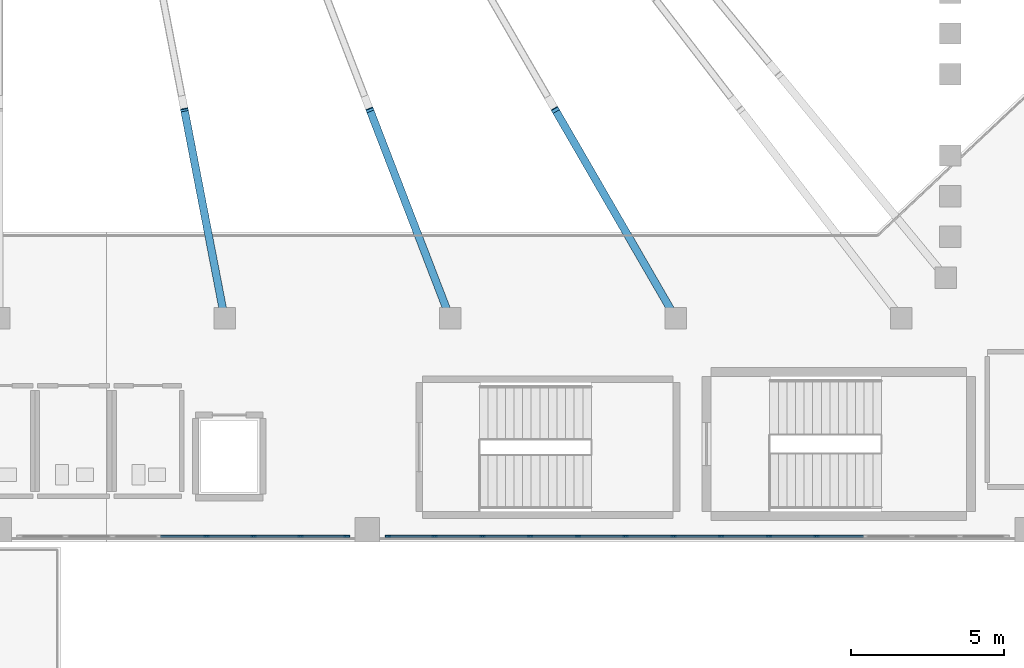
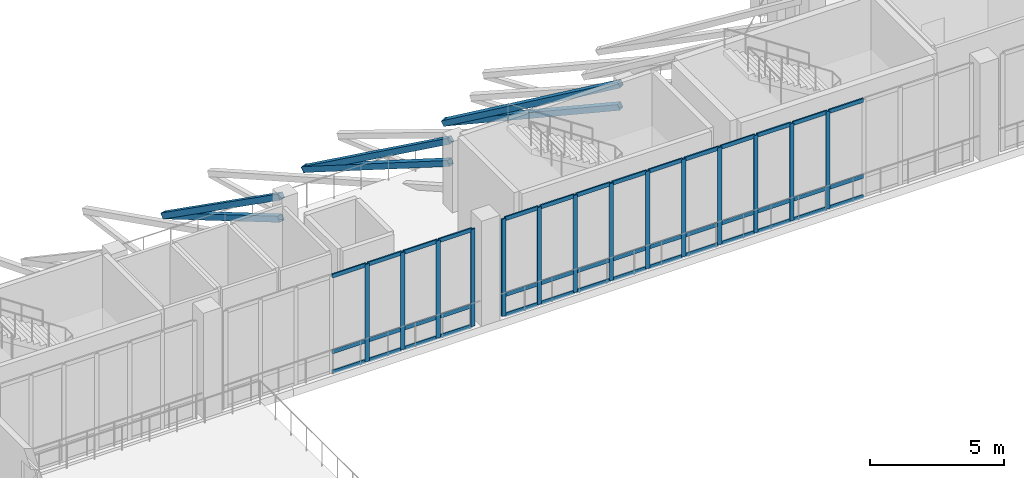
# One storey, part 15 of 79: 62 members, 2 elements without a shape of their own.
"""IFC4 building model written with IfcOpenShell, lengths in metres."""

from ifc_helpers import new_model, si_unit, derived_unit, direction, frame, origin, origin_2d, place, context, subcontext, project, spatial, rectangle, hollow_rectangle, extrude, material, layer, layer_set, material_profile, profile_set, type_object, element, aggregate, save


model = new_model("IFC4")

# Units and contexts
model_context = context("Model", 3, precision=1e-05, world=origin(), true_north=direction((0.0, 1.0)))
body_context = subcontext(model_context, "Body", "Model", "MODEL_VIEW")
ifc_project = project(units=[si_unit("LENGTHUNIT", "METRE"), si_unit("AREAUNIT", "SQUARE_METRE"), si_unit("VOLUMEUNIT", "CUBIC_METRE"), si_unit("PLANEANGLEUNIT", "RADIAN"), si_unit("MASSUNIT", "GRAM", prefix="KILO"), derived_unit("THERMALTRANSMITTANCEUNIT", [(si_unit("MASSUNIT", "GRAM", prefix="KILO"), 1), (si_unit("TIMEUNIT", "SECOND"), -3), (si_unit("THERMODYNAMICTEMPERATUREUNIT", "KELVIN"), -1)])], contexts=[model_context])

# Site, building, storey
site_placement = place(None, origin())
site = spatial("IfcSite", under=ifc_project, at=site_placement, CompositionType="ELEMENT")
building_placement = place(site_placement, origin())
building = spatial("IfcBuilding", under=site, at=building_placement, Name="Valcora Ridge Arena", CompositionType="ELEMENT")
storey_placement = place(building_placement, frame((0.0, 0.0, 16.199951171875)))
storey = spatial("IfcBuildingStorey", under=building, at=storey_placement, Name="L03", CompositionType="ELEMENT", Elevation=16.199951171875)

# Curtain wall, members
ifc_material_1 = material(Name="Anodised dark bronze architectural aluminium 6063-T6", Category="aluminium")
ifc_layer_1 = layer(ifc_material_1, 0.179931640625, Name="Anodised dark bronze architectural aluminium 6063-T6")
ifc_layer_set_1 = layer_set([ifc_layer_1], Name="Anodised dark bronze architectural aluminium 6063-T6")
curtain_wall_type_1 = type_object("IfcCurtainWallType", Name="TY-CURTAINWALL-CW-V1-GOTH-107X44", PredefinedType="NOTDEFINED", material=ifc_layer_set_1)
curtain_wall_1_placement = place(storey_placement, origin())
curtain_wall_1 = element("IfcCurtainWall", 1, at=curtain_wall_1_placement, inside=storey, type_object=curtain_wall_type_1, Name="CW-V1-GOTH-107X44 CW-0139", PredefinedType="NOTDEFINED")
ifc_material_profile_1 = material_profile(ifc_material_1, rectangle(XDim=0.06005859375, YDim=0.179931640625, at=origin_2d()), Name="ALU MULLION 60x180")
ifc_profile_set_1 = profile_set([ifc_material_profile_1], Name="Anodised dark bronze architectural aluminium 6063-T6")
member_type_1 = type_object("IfcMemberType", Name="TY-MEM-CWM-60x180", PredefinedType="MULLION", material=ifc_profile_set_1)
member_1_placement = place(storey_placement, frame((64.765625, 20.199951171875, 0.0), z_axis=(0.0, 0.0, 1.0), x_axis=(0.0, 1.0, 0.0)))
member_1 = element("IfcMember", 2, at=member_1_placement, type_object=member_type_1, Name="CW-0139/CWM-60x180/M04", PredefinedType="MULLION", context=body_context, shape_type="SweptSolid", body=[
    extrude(rectangle(XDim=0.06005859375, YDim=0.179931640625, at=origin_2d()), origin(), (0.0, 0.0, 1.0), 4.43994140625),
])
member_2_placement = place(storey_placement, frame((66.297119140625, 20.199951171875, 0.0), z_axis=(0.0, 0.0, 1.0), x_axis=(0.0, 1.0, 0.0)))
member_2 = element("IfcMember", 3, at=member_2_placement, type_object=member_type_1, Name="CW-0139/CWM-60x180/M05", PredefinedType="MULLION", context=body_context, shape_type="SweptSolid", body=[
    extrude(rectangle(XDim=0.06005859375, YDim=0.179931640625, at=origin_2d()), origin(), (0.0, 0.0, 1.0), 4.43994140625),
])
member_3_placement = place(storey_placement, frame((67.82861328125, 20.199951171875, 0.0), z_axis=(0.0, 0.0, 1.0), x_axis=(0.0, 1.0, 0.0)))
member_3 = element("IfcMember", 4, at=member_3_placement, type_object=member_type_1, Name="CW-0139/CWM-60x180/M06", PredefinedType="MULLION", context=body_context, shape_type="SweptSolid", body=[
    extrude(rectangle(XDim=0.06005859375, YDim=0.179931640625, at=origin_2d()), origin(), (0.0, 0.0, 1.0), 4.43994140625),
])
member_4_placement = place(storey_placement, frame((69.330078125, 20.199951171875, 0.0), z_axis=(0.0, 0.0, 1.0), x_axis=(0.0, 1.0, 0.0)))
member_4 = element("IfcMember", 5, at=member_4_placement, type_object=member_type_1, Name="CW-0139/CWM-60x180/M07", PredefinedType="MULLION", context=body_context, shape_type="SweptSolid", body=[
    extrude(rectangle(XDim=0.06005859375, YDim=0.179931640625, at=origin_2d()), origin(), (0.0, 0.0, 1.0), 4.43994140625),
])

ifc_layer_2 = layer(ifc_material_1, 0.179931640625, Name="Anodised dark bronze architectural aluminium 6063-T6")
ifc_layer_set_2 = layer_set([ifc_layer_2], Name="Anodised dark bronze architectural aluminium 6063-T6")
curtain_wall_type_2 = type_object("IfcCurtainWallType", Name="TY-CURTAINWALL-CW-V1-GOTH-202X44", PredefinedType="NOTDEFINED", material=ifc_layer_set_2)
curtain_wall_2_placement = place(storey_placement, origin())
curtain_wall_2 = element("IfcCurtainWall", 6, at=curtain_wall_2_placement, inside=storey, type_object=curtain_wall_type_2, Name="CW-V1-GOTH-202X44 CW-0140", PredefinedType="NOTDEFINED")
member_5_placement = place(storey_placement, frame((70.669921875, 20.199951171875, 0.0), z_axis=(0.0, 0.0, 1.0), x_axis=(0.0, 1.0, 0.0)))
member_5 = element("IfcMember", 7, at=member_5_placement, type_object=member_type_1, Name="CW-0140/CWM-60x180/M00", PredefinedType="MULLION", context=body_context, shape_type="SweptSolid", body=[
    extrude(rectangle(XDim=0.06005859375, YDim=0.179931640625, at=origin_2d()), origin(), (0.0, 0.0, 1.0), 4.43994140625),
])
member_6_placement = place(storey_placement, frame((72.1953125, 20.199951171875, 0.0), z_axis=(0.0, 0.0, 1.0), x_axis=(0.0, 1.0, 0.0)))
member_6 = element("IfcMember", 8, at=member_6_placement, type_object=member_type_1, Name="CW-0140/CWM-60x180/M01", PredefinedType="MULLION", context=body_context, shape_type="SweptSolid", body=[
    extrude(rectangle(XDim=0.06005859375, YDim=0.179931640625, at=origin_2d()), origin(), (0.0, 0.0, 1.0), 4.43994140625),
])
member_7_placement = place(storey_placement, frame((73.750732421875, 20.199951171875, 0.0), z_axis=(0.0, 0.0, 1.0), x_axis=(0.0, 1.0, 0.0)))
member_7 = element("IfcMember", 9, at=member_7_placement, type_object=member_type_1, Name="CW-0140/CWM-60x180/M02", PredefinedType="MULLION", context=body_context, shape_type="SweptSolid", body=[
    extrude(rectangle(XDim=0.06005859375, YDim=0.179931640625, at=origin_2d()), origin(), (0.0, 0.0, 1.0), 4.43994140625),
])
member_8_placement = place(storey_placement, frame((75.30615234375, 20.199951171875, 0.0), z_axis=(0.0, 0.0, 1.0), x_axis=(0.0, 1.0, 0.0)))
member_8 = element("IfcMember", 10, at=member_8_placement, type_object=member_type_1, Name="CW-0140/CWM-60x180/M03", PredefinedType="MULLION", context=body_context, shape_type="SweptSolid", body=[
    extrude(rectangle(XDim=0.06005859375, YDim=0.179931640625, at=origin_2d()), origin(), (0.0, 0.0, 1.0), 4.43994140625),
])
member_9_placement = place(storey_placement, frame((76.861572265625, 20.199951171875, 0.0), z_axis=(0.0, 0.0, 1.0), x_axis=(0.0, 1.0, 0.0)))
member_9 = element("IfcMember", 11, at=member_9_placement, type_object=member_type_1, Name="CW-0140/CWM-60x180/M04", PredefinedType="MULLION", context=body_context, shape_type="SweptSolid", body=[
    extrude(rectangle(XDim=0.06005859375, YDim=0.179931640625, at=origin_2d()), origin(), (0.0, 0.0, 1.0), 4.43994140625),
])
member_10_placement = place(storey_placement, frame((78.4169921875, 20.199951171875, 0.0), z_axis=(0.0, 0.0, 1.0), x_axis=(0.0, 1.0, 0.0)))
member_10 = element("IfcMember", 12, at=member_10_placement, type_object=member_type_1, Name="CW-0140/CWM-60x180/M05", PredefinedType="MULLION", context=body_context, shape_type="SweptSolid", body=[
    extrude(rectangle(XDim=0.06005859375, YDim=0.179931640625, at=origin_2d()), origin(), (0.0, 0.0, 1.0), 4.43994140625),
])
member_11_placement = place(storey_placement, frame((79.972412109375, 20.199951171875, 0.0), z_axis=(0.0, 0.0, 1.0), x_axis=(0.0, 1.0, 0.0)))
member_11 = element("IfcMember", 13, at=member_11_placement, type_object=member_type_1, Name="CW-0140/CWM-60x180/M06", PredefinedType="MULLION", context=body_context, shape_type="SweptSolid", body=[
    extrude(rectangle(XDim=0.06005859375, YDim=0.179931640625, at=origin_2d()), origin(), (0.0, 0.0, 1.0), 4.43994140625),
])
member_12_placement = place(storey_placement, frame((81.527587890625, 20.199951171875, 0.0), z_axis=(0.0, 0.0, 1.0), x_axis=(0.0, 1.0, 0.0)))
member_12 = element("IfcMember", 14, at=member_12_placement, type_object=member_type_1, Name="CW-0140/CWM-60x180/M07", PredefinedType="MULLION", context=body_context, shape_type="SweptSolid", body=[
    extrude(rectangle(XDim=0.06005859375, YDim=0.179931640625, at=origin_2d()), origin(), (0.0, 0.0, 1.0), 4.43994140625),
])
member_13_placement = place(storey_placement, frame((83.0830078125, 20.199951171875, 0.0), z_axis=(0.0, 0.0, 1.0), x_axis=(0.0, 1.0, 0.0)))
member_13 = element("IfcMember", 15, at=member_13_placement, type_object=member_type_1, Name="CW-0140/CWM-60x180/M08", PredefinedType="MULLION", context=body_context, shape_type="SweptSolid", body=[
    extrude(rectangle(XDim=0.06005859375, YDim=0.179931640625, at=origin_2d()), origin(), (0.0, 0.0, 1.0), 4.43994140625),
])
member_14_placement = place(storey_placement, frame((84.638427734375, 20.199951171875, 0.0), z_axis=(0.0, 0.0, 1.0), x_axis=(0.0, 1.0, 0.0)))
member_14 = element("IfcMember", 16, at=member_14_placement, type_object=member_type_1, Name="CW-0140/CWM-60x180/M09", PredefinedType="MULLION", context=body_context, shape_type="SweptSolid", body=[
    extrude(rectangle(XDim=0.06005859375, YDim=0.179931640625, at=origin_2d()), origin(), (0.0, 0.0, 1.0), 4.43994140625),
])

# Member
ifc_material_profile_2 = material_profile(ifc_material_1, rectangle(XDim=0.06005859375, YDim=0.179931640625, at=origin_2d()), Name="ALU TRANSOM 60x180")
ifc_profile_set_2 = profile_set([ifc_material_profile_2], Name="Anodised dark bronze architectural aluminium 6063-T6")
member_type_2 = type_object("IfcMemberType", Name="TY-MEM-CWT-60x180", PredefinedType="USERDEFINED", material=ifc_profile_set_2)
member_15_placement = place(storey_placement, frame((63.263916015625, 20.199951171875, 0.030029296875), z_axis=(1.0, 0.0, 0.0), x_axis=(0.0, 1.0, 0.0)))
member_15 = element("IfcMember", 17, at=member_15_placement, type_object=member_type_2, Name="CW-0139/CWT-60x180/T03-00", ObjectType="TRANSOM", PredefinedType="USERDEFINED", context=body_context, shape_type="SweptSolid", body=[
    extrude(rectangle(XDim=0.06005859375, YDim=0.179931640625, at=origin_2d()), origin(), (0.0, 0.0, 1.0), 1.47216796875),
])

member_16_placement = place(storey_placement, frame((63.263916015625, 20.199951171875, 0.949951171875), z_axis=(1.0, 0.0, 0.0), x_axis=(0.0, 1.0, 0.0)))
member_16 = element("IfcMember", 18, at=member_16_placement, type_object=member_type_2, Name="CW-0139/CWT-60x180/T03-01", ObjectType="TRANSOM", PredefinedType="USERDEFINED", context=body_context, shape_type="SweptSolid", body=[
    extrude(rectangle(XDim=0.06005859375, YDim=0.179931640625, at=origin_2d()), origin(), (0.0, 0.0, 1.0), 1.47216796875),
])

member_17_placement = place(storey_placement, frame((63.263916015625, 20.199951171875, 4.41015625), z_axis=(1.0, 0.0, 0.0), x_axis=(0.0, 1.0, 0.0)))
member_17 = element("IfcMember", 19, at=member_17_placement, type_object=member_type_2, Name="CW-0139/CWT-60x180/T03-02", ObjectType="TRANSOM", PredefinedType="USERDEFINED", context=body_context, shape_type="SweptSolid", body=[
    extrude(rectangle(XDim=0.06005859375, YDim=0.179931640625, at=origin_2d()), origin(), (0.0, 0.0, 1.0), 1.47216796875),
])

member_18_placement = place(storey_placement, frame((64.7958984375, 20.199951171875, 0.030029296875), z_axis=(1.0, 0.0, 0.0), x_axis=(0.0, 1.0, 0.0)))
member_18 = element("IfcMember", 20, at=member_18_placement, type_object=member_type_2, Name="CW-0139/CWT-60x180/T04-00", ObjectType="TRANSOM", PredefinedType="USERDEFINED", context=body_context, shape_type="SweptSolid", body=[
    extrude(rectangle(XDim=0.06005859375, YDim=0.179931640625, at=origin_2d()), origin(), (0.0, 0.0, 1.0), 1.47119140625),
])

member_19_placement = place(storey_placement, frame((64.7958984375, 20.199951171875, 0.949951171875), z_axis=(1.0, 0.0, 0.0), x_axis=(0.0, 1.0, 0.0)))
member_19 = element("IfcMember", 21, at=member_19_placement, type_object=member_type_2, Name="CW-0139/CWT-60x180/T04-01", ObjectType="TRANSOM", PredefinedType="USERDEFINED", context=body_context, shape_type="SweptSolid", body=[
    extrude(rectangle(XDim=0.06005859375, YDim=0.179931640625, at=origin_2d()), origin(), (0.0, 0.0, 1.0), 1.47119140625),
])

member_20_placement = place(storey_placement, frame((64.7958984375, 20.199951171875, 4.41015625), z_axis=(1.0, 0.0, 0.0), x_axis=(0.0, 1.0, 0.0)))
member_20 = element("IfcMember", 22, at=member_20_placement, type_object=member_type_2, Name="CW-0139/CWT-60x180/T04-02", ObjectType="TRANSOM", PredefinedType="USERDEFINED", context=body_context, shape_type="SweptSolid", body=[
    extrude(rectangle(XDim=0.06005859375, YDim=0.179931640625, at=origin_2d()), origin(), (0.0, 0.0, 1.0), 1.47119140625),
])

member_21_placement = place(storey_placement, frame((66.326904296875, 20.199951171875, 0.030029296875), z_axis=(1.0, 0.0, 0.0), x_axis=(0.0, 1.0, 0.0)))
member_21 = element("IfcMember", 23, at=member_21_placement, type_object=member_type_2, Name="CW-0139/CWT-60x180/T05-00", ObjectType="TRANSOM", PredefinedType="USERDEFINED", context=body_context, shape_type="SweptSolid", body=[
    extrude(rectangle(XDim=0.06005859375, YDim=0.179931640625, at=origin_2d()), origin(), (0.0, 0.0, 1.0), 1.47216796875),
])

member_22_placement = place(storey_placement, frame((66.326904296875, 20.199951171875, 0.949951171875), z_axis=(1.0, 0.0, 0.0), x_axis=(0.0, 1.0, 0.0)))
member_22 = element("IfcMember", 24, at=member_22_placement, type_object=member_type_2, Name="CW-0139/CWT-60x180/T05-01", ObjectType="TRANSOM", PredefinedType="USERDEFINED", context=body_context, shape_type="SweptSolid", body=[
    extrude(rectangle(XDim=0.06005859375, YDim=0.179931640625, at=origin_2d()), origin(), (0.0, 0.0, 1.0), 1.47216796875),
])

member_23_placement = place(storey_placement, frame((66.326904296875, 20.199951171875, 4.41015625), z_axis=(1.0, 0.0, 0.0), x_axis=(0.0, 1.0, 0.0)))
member_23 = element("IfcMember", 25, at=member_23_placement, type_object=member_type_2, Name="CW-0139/CWT-60x180/T05-02", ObjectType="TRANSOM", PredefinedType="USERDEFINED", context=body_context, shape_type="SweptSolid", body=[
    extrude(rectangle(XDim=0.06005859375, YDim=0.179931640625, at=origin_2d()), origin(), (0.0, 0.0, 1.0), 1.47216796875),
])

member_24_placement = place(storey_placement, frame((67.85888671875, 20.199951171875, 0.030029296875), z_axis=(1.0, 0.0, 0.0), x_axis=(0.0, 1.0, 0.0)))
member_24 = element("IfcMember", 26, at=member_24_placement, type_object=member_type_2, Name="CW-0139/CWT-60x180/T06-00", ObjectType="TRANSOM", PredefinedType="USERDEFINED", context=body_context, shape_type="SweptSolid", body=[
    extrude(rectangle(XDim=0.06005859375, YDim=0.179931640625, at=origin_2d()), origin(), (0.0, 0.0, 1.0), 1.441162109375),
])

member_25_placement = place(storey_placement, frame((67.85888671875, 20.199951171875, 0.949951171875), z_axis=(1.0, 0.0, 0.0), x_axis=(0.0, 1.0, 0.0)))
member_25 = element("IfcMember", 27, at=member_25_placement, type_object=member_type_2, Name="CW-0139/CWT-60x180/T06-01", ObjectType="TRANSOM", PredefinedType="USERDEFINED", context=body_context, shape_type="SweptSolid", body=[
    extrude(rectangle(XDim=0.06005859375, YDim=0.179931640625, at=origin_2d()), origin(), (0.0, 0.0, 1.0), 1.441162109375),
])

member_26_placement = place(storey_placement, frame((67.85888671875, 20.199951171875, 4.41015625), z_axis=(1.0, 0.0, 0.0), x_axis=(0.0, 1.0, 0.0)))
member_26 = element("IfcMember", 28, at=member_26_placement, type_object=member_type_2, Name="CW-0139/CWT-60x180/T06-02", ObjectType="TRANSOM", PredefinedType="USERDEFINED", context=body_context, shape_type="SweptSolid", body=[
    extrude(rectangle(XDim=0.06005859375, YDim=0.179931640625, at=origin_2d()), origin(), (0.0, 0.0, 1.0), 1.441162109375),
])

aggregate(curtain_wall_1, [member_1, member_2, member_3, member_4, member_15, member_16, member_17, member_18, member_19, member_20, member_21, member_22, member_23, member_24, member_25, member_26])

member_27_placement = place(storey_placement, frame((70.699951171875, 20.199951171875, 0.030029296875), z_axis=(1.0, 0.0, 0.0), x_axis=(0.0, 1.0, 0.0)))
member_27 = element("IfcMember", 29, at=member_27_placement, type_object=member_type_2, Name="CW-0140/CWT-60x180/T00-00", ObjectType="TRANSOM", PredefinedType="USERDEFINED", context=body_context, shape_type="SweptSolid", body=[
    extrude(rectangle(XDim=0.06005859375, YDim=0.179931640625, at=origin_2d()), origin(), (0.0, 0.0, 1.0), 1.465087890625),
])

member_28_placement = place(storey_placement, frame((70.699951171875, 20.199951171875, 0.949951171875), z_axis=(1.0, 0.0, 0.0), x_axis=(0.0, 1.0, 0.0)))
member_28 = element("IfcMember", 30, at=member_28_placement, type_object=member_type_2, Name="CW-0140/CWT-60x180/T00-01", ObjectType="TRANSOM", PredefinedType="USERDEFINED", context=body_context, shape_type="SweptSolid", body=[
    extrude(rectangle(XDim=0.06005859375, YDim=0.179931640625, at=origin_2d()), origin(), (0.0, 0.0, 1.0), 1.465087890625),
])

member_29_placement = place(storey_placement, frame((70.699951171875, 20.199951171875, 4.41015625), z_axis=(1.0, 0.0, 0.0), x_axis=(0.0, 1.0, 0.0)))
member_29 = element("IfcMember", 31, at=member_29_placement, type_object=member_type_2, Name="CW-0140/CWT-60x180/T00-02", ObjectType="TRANSOM", PredefinedType="USERDEFINED", context=body_context, shape_type="SweptSolid", body=[
    extrude(rectangle(XDim=0.06005859375, YDim=0.179931640625, at=origin_2d()), origin(), (0.0, 0.0, 1.0), 1.465087890625),
])

member_30_placement = place(storey_placement, frame((72.22509765625, 20.199951171875, 0.030029296875), z_axis=(1.0, 0.0, 0.0), x_axis=(0.0, 1.0, 0.0)))
member_30 = element("IfcMember", 32, at=member_30_placement, type_object=member_type_2, Name="CW-0140/CWT-60x180/T01-00", ObjectType="TRANSOM", PredefinedType="USERDEFINED", context=body_context, shape_type="SweptSolid", body=[
    extrude(rectangle(XDim=0.06005859375, YDim=0.179931640625, at=origin_2d()), origin(), (0.0, 0.0, 1.0), 1.495849609375),
])

member_31_placement = place(storey_placement, frame((72.22509765625, 20.199951171875, 0.949951171875), z_axis=(1.0, 0.0, 0.0), x_axis=(0.0, 1.0, 0.0)))
member_31 = element("IfcMember", 33, at=member_31_placement, type_object=member_type_2, Name="CW-0140/CWT-60x180/T01-01", ObjectType="TRANSOM", PredefinedType="USERDEFINED", context=body_context, shape_type="SweptSolid", body=[
    extrude(rectangle(XDim=0.06005859375, YDim=0.179931640625, at=origin_2d()), origin(), (0.0, 0.0, 1.0), 1.495849609375),
])

member_32_placement = place(storey_placement, frame((72.22509765625, 20.199951171875, 4.41015625), z_axis=(1.0, 0.0, 0.0), x_axis=(0.0, 1.0, 0.0)))
member_32 = element("IfcMember", 34, at=member_32_placement, type_object=member_type_2, Name="CW-0140/CWT-60x180/T01-02", ObjectType="TRANSOM", PredefinedType="USERDEFINED", context=body_context, shape_type="SweptSolid", body=[
    extrude(rectangle(XDim=0.06005859375, YDim=0.179931640625, at=origin_2d()), origin(), (0.0, 0.0, 1.0), 1.495849609375),
])

member_33_placement = place(storey_placement, frame((73.781005859375, 20.199951171875, 0.030029296875), z_axis=(1.0, 0.0, 0.0), x_axis=(0.0, 1.0, 0.0)))
member_33 = element("IfcMember", 35, at=member_33_placement, type_object=member_type_2, Name="CW-0140/CWT-60x180/T02-00", ObjectType="TRANSOM", PredefinedType="USERDEFINED", context=body_context, shape_type="SweptSolid", body=[
    extrude(rectangle(XDim=0.06005859375, YDim=0.179931640625, at=origin_2d()), origin(), (0.0, 0.0, 1.0), 1.494873046875),
])

member_34_placement = place(storey_placement, frame((73.781005859375, 20.199951171875, 0.949951171875), z_axis=(1.0, 0.0, 0.0), x_axis=(0.0, 1.0, 0.0)))
member_34 = element("IfcMember", 36, at=member_34_placement, type_object=member_type_2, Name="CW-0140/CWT-60x180/T02-01", ObjectType="TRANSOM", PredefinedType="USERDEFINED", context=body_context, shape_type="SweptSolid", body=[
    extrude(rectangle(XDim=0.06005859375, YDim=0.179931640625, at=origin_2d()), origin(), (0.0, 0.0, 1.0), 1.494873046875),
])

member_35_placement = place(storey_placement, frame((73.781005859375, 20.199951171875, 4.41015625), z_axis=(1.0, 0.0, 0.0), x_axis=(0.0, 1.0, 0.0)))
member_35 = element("IfcMember", 37, at=member_35_placement, type_object=member_type_2, Name="CW-0140/CWT-60x180/T02-02", ObjectType="TRANSOM", PredefinedType="USERDEFINED", context=body_context, shape_type="SweptSolid", body=[
    extrude(rectangle(XDim=0.06005859375, YDim=0.179931640625, at=origin_2d()), origin(), (0.0, 0.0, 1.0), 1.494873046875),
])

member_36_placement = place(storey_placement, frame((75.3359375, 20.199951171875, 0.030029296875), z_axis=(1.0, 0.0, 0.0), x_axis=(0.0, 1.0, 0.0)))
member_36 = element("IfcMember", 38, at=member_36_placement, type_object=member_type_2, Name="CW-0140/CWT-60x180/T03-00", ObjectType="TRANSOM", PredefinedType="USERDEFINED", context=body_context, shape_type="SweptSolid", body=[
    extrude(rectangle(XDim=0.06005859375, YDim=0.179931640625, at=origin_2d()), origin(), (0.0, 0.0, 1.0), 1.49609375),
])

member_37_placement = place(storey_placement, frame((75.3359375, 20.199951171875, 0.949951171875), z_axis=(1.0, 0.0, 0.0), x_axis=(0.0, 1.0, 0.0)))
member_37 = element("IfcMember", 39, at=member_37_placement, type_object=member_type_2, Name="CW-0140/CWT-60x180/T03-01", ObjectType="TRANSOM", PredefinedType="USERDEFINED", context=body_context, shape_type="SweptSolid", body=[
    extrude(rectangle(XDim=0.06005859375, YDim=0.179931640625, at=origin_2d()), origin(), (0.0, 0.0, 1.0), 1.49609375),
])

member_38_placement = place(storey_placement, frame((75.3359375, 20.199951171875, 4.41015625), z_axis=(1.0, 0.0, 0.0), x_axis=(0.0, 1.0, 0.0)))
member_38 = element("IfcMember", 40, at=member_38_placement, type_object=member_type_2, Name="CW-0140/CWT-60x180/T03-02", ObjectType="TRANSOM", PredefinedType="USERDEFINED", context=body_context, shape_type="SweptSolid", body=[
    extrude(rectangle(XDim=0.06005859375, YDim=0.179931640625, at=origin_2d()), origin(), (0.0, 0.0, 1.0), 1.49609375),
])

member_39_placement = place(storey_placement, frame((76.89208984375, 20.199951171875, 0.030029296875), z_axis=(1.0, 0.0, 0.0), x_axis=(0.0, 1.0, 0.0)))
member_39 = element("IfcMember", 41, at=member_39_placement, type_object=member_type_2, Name="CW-0140/CWT-60x180/T04-00", ObjectType="TRANSOM", PredefinedType="USERDEFINED", context=body_context, shape_type="SweptSolid", body=[
    extrude(rectangle(XDim=0.06005859375, YDim=0.179931640625, at=origin_2d()), origin(), (0.0, 0.0, 1.0), 1.494873046875),
])

member_40_placement = place(storey_placement, frame((76.89208984375, 20.199951171875, 0.949951171875), z_axis=(1.0, 0.0, 0.0), x_axis=(0.0, 1.0, 0.0)))
member_40 = element("IfcMember", 42, at=member_40_placement, type_object=member_type_2, Name="CW-0140/CWT-60x180/T04-01", ObjectType="TRANSOM", PredefinedType="USERDEFINED", context=body_context, shape_type="SweptSolid", body=[
    extrude(rectangle(XDim=0.06005859375, YDim=0.179931640625, at=origin_2d()), origin(), (0.0, 0.0, 1.0), 1.494873046875),
])

member_41_placement = place(storey_placement, frame((76.89208984375, 20.199951171875, 4.41015625), z_axis=(1.0, 0.0, 0.0), x_axis=(0.0, 1.0, 0.0)))
member_41 = element("IfcMember", 43, at=member_41_placement, type_object=member_type_2, Name="CW-0140/CWT-60x180/T04-02", ObjectType="TRANSOM", PredefinedType="USERDEFINED", context=body_context, shape_type="SweptSolid", body=[
    extrude(rectangle(XDim=0.06005859375, YDim=0.179931640625, at=origin_2d()), origin(), (0.0, 0.0, 1.0), 1.494873046875),
])

member_42_placement = place(storey_placement, frame((78.447021484375, 20.199951171875, 0.030029296875), z_axis=(1.0, 0.0, 0.0), x_axis=(0.0, 1.0, 0.0)))
member_42 = element("IfcMember", 44, at=member_42_placement, type_object=member_type_2, Name="CW-0140/CWT-60x180/T05-00", ObjectType="TRANSOM", PredefinedType="USERDEFINED", context=body_context, shape_type="SweptSolid", body=[
    extrude(rectangle(XDim=0.06005859375, YDim=0.179931640625, at=origin_2d()), origin(), (0.0, 0.0, 1.0), 1.494873046875),
])

member_43_placement = place(storey_placement, frame((78.447021484375, 20.199951171875, 0.949951171875), z_axis=(1.0, 0.0, 0.0), x_axis=(0.0, 1.0, 0.0)))
member_43 = element("IfcMember", 45, at=member_43_placement, type_object=member_type_2, Name="CW-0140/CWT-60x180/T05-01", ObjectType="TRANSOM", PredefinedType="USERDEFINED", context=body_context, shape_type="SweptSolid", body=[
    extrude(rectangle(XDim=0.06005859375, YDim=0.179931640625, at=origin_2d()), origin(), (0.0, 0.0, 1.0), 1.494873046875),
])

member_44_placement = place(storey_placement, frame((78.447021484375, 20.199951171875, 4.41015625), z_axis=(1.0, 0.0, 0.0), x_axis=(0.0, 1.0, 0.0)))
member_44 = element("IfcMember", 46, at=member_44_placement, type_object=member_type_2, Name="CW-0140/CWT-60x180/T05-02", ObjectType="TRANSOM", PredefinedType="USERDEFINED", context=body_context, shape_type="SweptSolid", body=[
    extrude(rectangle(XDim=0.06005859375, YDim=0.179931640625, at=origin_2d()), origin(), (0.0, 0.0, 1.0), 1.494873046875),
])

member_45_placement = place(storey_placement, frame((80.001953125, 20.199951171875, 0.030029296875), z_axis=(1.0, 0.0, 0.0), x_axis=(0.0, 1.0, 0.0)))
member_45 = element("IfcMember", 47, at=member_45_placement, type_object=member_type_2, Name="CW-0140/CWT-60x180/T06-00", ObjectType="TRANSOM", PredefinedType="USERDEFINED", context=body_context, shape_type="SweptSolid", body=[
    extrude(rectangle(XDim=0.06005859375, YDim=0.179931640625, at=origin_2d()), origin(), (0.0, 0.0, 1.0), 1.49609375),
])

member_46_placement = place(storey_placement, frame((80.001953125, 20.199951171875, 0.949951171875), z_axis=(1.0, 0.0, 0.0), x_axis=(0.0, 1.0, 0.0)))
member_46 = element("IfcMember", 48, at=member_46_placement, type_object=member_type_2, Name="CW-0140/CWT-60x180/T06-01", ObjectType="TRANSOM", PredefinedType="USERDEFINED", context=body_context, shape_type="SweptSolid", body=[
    extrude(rectangle(XDim=0.06005859375, YDim=0.179931640625, at=origin_2d()), origin(), (0.0, 0.0, 1.0), 1.49609375),
])

member_47_placement = place(storey_placement, frame((80.001953125, 20.199951171875, 4.41015625), z_axis=(1.0, 0.0, 0.0), x_axis=(0.0, 1.0, 0.0)))
member_47 = element("IfcMember", 49, at=member_47_placement, type_object=member_type_2, Name="CW-0140/CWT-60x180/T06-02", ObjectType="TRANSOM", PredefinedType="USERDEFINED", context=body_context, shape_type="SweptSolid", body=[
    extrude(rectangle(XDim=0.06005859375, YDim=0.179931640625, at=origin_2d()), origin(), (0.0, 0.0, 1.0), 1.49609375),
])

member_48_placement = place(storey_placement, frame((81.55810546875, 20.199951171875, 0.030029296875), z_axis=(1.0, 0.0, 0.0), x_axis=(0.0, 1.0, 0.0)))
member_48 = element("IfcMember", 50, at=member_48_placement, type_object=member_type_2, Name="CW-0140/CWT-60x180/T07-00", ObjectType="TRANSOM", PredefinedType="USERDEFINED", context=body_context, shape_type="SweptSolid", body=[
    extrude(rectangle(XDim=0.06005859375, YDim=0.179931640625, at=origin_2d()), origin(), (0.0, 0.0, 1.0), 1.494873046875),
])

member_49_placement = place(storey_placement, frame((81.55810546875, 20.199951171875, 0.949951171875), z_axis=(1.0, 0.0, 0.0), x_axis=(0.0, 1.0, 0.0)))
member_49 = element("IfcMember", 51, at=member_49_placement, type_object=member_type_2, Name="CW-0140/CWT-60x180/T07-01", ObjectType="TRANSOM", PredefinedType="USERDEFINED", context=body_context, shape_type="SweptSolid", body=[
    extrude(rectangle(XDim=0.06005859375, YDim=0.179931640625, at=origin_2d()), origin(), (0.0, 0.0, 1.0), 1.494873046875),
])

member_50_placement = place(storey_placement, frame((81.55810546875, 20.199951171875, 4.41015625), z_axis=(1.0, 0.0, 0.0), x_axis=(0.0, 1.0, 0.0)))
member_50 = element("IfcMember", 52, at=member_50_placement, type_object=member_type_2, Name="CW-0140/CWT-60x180/T07-02", ObjectType="TRANSOM", PredefinedType="USERDEFINED", context=body_context, shape_type="SweptSolid", body=[
    extrude(rectangle(XDim=0.06005859375, YDim=0.179931640625, at=origin_2d()), origin(), (0.0, 0.0, 1.0), 1.494873046875),
])

member_51_placement = place(storey_placement, frame((83.113037109375, 20.199951171875, 0.030029296875), z_axis=(1.0, 0.0, 0.0), x_axis=(0.0, 1.0, 0.0)))
member_51 = element("IfcMember", 53, at=member_51_placement, type_object=member_type_2, Name="CW-0140/CWT-60x180/T08-00", ObjectType="TRANSOM", PredefinedType="USERDEFINED", context=body_context, shape_type="SweptSolid", body=[
    extrude(rectangle(XDim=0.06005859375, YDim=0.179931640625, at=origin_2d()), origin(), (0.0, 0.0, 1.0), 1.494873046875),
])

member_52_placement = place(storey_placement, frame((83.113037109375, 20.199951171875, 0.949951171875), z_axis=(1.0, 0.0, 0.0), x_axis=(0.0, 1.0, 0.0)))
member_52 = element("IfcMember", 54, at=member_52_placement, type_object=member_type_2, Name="CW-0140/CWT-60x180/T08-01", ObjectType="TRANSOM", PredefinedType="USERDEFINED", context=body_context, shape_type="SweptSolid", body=[
    extrude(rectangle(XDim=0.06005859375, YDim=0.179931640625, at=origin_2d()), origin(), (0.0, 0.0, 1.0), 1.494873046875),
])

member_53_placement = place(storey_placement, frame((83.113037109375, 20.199951171875, 4.41015625), z_axis=(1.0, 0.0, 0.0), x_axis=(0.0, 1.0, 0.0)))
member_53 = element("IfcMember", 55, at=member_53_placement, type_object=member_type_2, Name="CW-0140/CWT-60x180/T08-02", ObjectType="TRANSOM", PredefinedType="USERDEFINED", context=body_context, shape_type="SweptSolid", body=[
    extrude(rectangle(XDim=0.06005859375, YDim=0.179931640625, at=origin_2d()), origin(), (0.0, 0.0, 1.0), 1.494873046875),
])

member_54_placement = place(storey_placement, frame((84.66796875, 20.199951171875, 0.030029296875), z_axis=(1.0, 0.0, 0.0), x_axis=(0.0, 1.0, 0.0)))
member_54 = element("IfcMember", 56, at=member_54_placement, type_object=member_type_2, Name="CW-0140/CWT-60x180/T09-00", ObjectType="TRANSOM", PredefinedType="USERDEFINED", context=body_context, shape_type="SweptSolid", body=[
    extrude(rectangle(XDim=0.06005859375, YDim=0.179931640625, at=origin_2d()), origin(), (0.0, 0.0, 1.0), 1.49609375),
])

member_55_placement = place(storey_placement, frame((84.66796875, 20.199951171875, 0.949951171875), z_axis=(1.0, 0.0, 0.0), x_axis=(0.0, 1.0, 0.0)))
member_55 = element("IfcMember", 57, at=member_55_placement, type_object=member_type_2, Name="CW-0140/CWT-60x180/T09-01", ObjectType="TRANSOM", PredefinedType="USERDEFINED", context=body_context, shape_type="SweptSolid", body=[
    extrude(rectangle(XDim=0.06005859375, YDim=0.179931640625, at=origin_2d()), origin(), (0.0, 0.0, 1.0), 1.49609375),
])

member_56_placement = place(storey_placement, frame((84.66796875, 20.199951171875, 4.41015625), z_axis=(1.0, 0.0, 0.0), x_axis=(0.0, 1.0, 0.0)))
member_56 = element("IfcMember", 58, at=member_56_placement, type_object=member_type_2, Name="CW-0140/CWT-60x180/T09-02", ObjectType="TRANSOM", PredefinedType="USERDEFINED", context=body_context, shape_type="SweptSolid", body=[
    extrude(rectangle(XDim=0.06005859375, YDim=0.179931640625, at=origin_2d()), origin(), (0.0, 0.0, 1.0), 1.49609375),
])

aggregate(curtain_wall_2, [member_5, member_6, member_7, member_8, member_9, member_10, member_11, member_12, member_13, member_14, member_27, member_28, member_29, member_30, member_31, member_32, member_33, member_34, member_35, member_36, member_37, member_38, member_39, member_40, member_41, member_42, member_43, member_44, member_45, member_46, member_47, member_48, member_49, member_50, member_51, member_52, member_53, member_54, member_55, member_56])

# Members
ifc_material_2 = material(Name="Steel ASTM A500 Grade C", Category="steel")
ifc_material_profile_3 = material_profile(ifc_material_2, hollow_rectangle(XDim=0.25, YDim=0.25, WallThickness=0.012451171875, at=origin_2d()), Name="HSS250X250X12")
ifc_profile_set_3 = profile_set([ifc_material_profile_3], Name="Steel ASTM A500 Grade C")
member_type_3 = type_object("IfcMemberType", Name="TY-MEMBER-RKRUC-251", PredefinedType="CHORD", material=ifc_profile_set_3)
member_57_placement = place(storey_placement, frame((64.044189453125, 34.070556640625, -1.495849609375), z_axis=(0.15809924843, -0.819778413767, 0.550425271919), x_axis=(0.981906452279, 0.189366625818, 0.0)))
element("IfcMember", 59, at=member_57_placement, inside=storey, type_object=member_type_3, Name="RKRUC-251 MBR-RK-RKRUC-251-0006", PredefinedType="CHORD", context=body_context, shape_type="SweptSolid", body=[
    extrude(hollow_rectangle(XDim=0.25, YDim=0.25, WallThickness=0.012451171875, at=origin_2d()), origin(), (0.0, 0.0, 1.0), 7.97900390625),
])
member_58_placement = place(storey_placement, frame((70.08544921875, 34.07861328125, -1.50146484375), z_axis=(0.304955410635, -0.790664390273, 0.530897371889), x_axis=(0.933007656788, 0.35985651637, 0.0)))
element("IfcMember", 60, at=member_58_placement, inside=storey, type_object=member_type_3, Name="RKRUC-251 MBR-RK-RKRUC-251-0007", PredefinedType="CHORD", context=body_context, shape_type="SweptSolid", body=[
    extrude(hollow_rectangle(XDim=0.25, YDim=0.25, WallThickness=0.012451171875, at=origin_2d()), origin(), (0.0, 0.0, 1.0), 8.293212890625),
])
member_59_placement = place(storey_placement, frame((76.12109375, 34.090576171875, -1.50927734375), z_axis=(0.432982585735, -0.748363592016, 0.502471904285), x_axis=(0.865566950709, 0.500793224635, 0.0)))
element("IfcMember", 61, at=member_59_placement, inside=storey, type_object=member_type_3, Name="RKRUC-251 MBR-RK-RKRUC-251-0008", PredefinedType="CHORD", context=body_context, shape_type="SweptSolid", body=[
    extrude(hollow_rectangle(XDim=0.25, YDim=0.25, WallThickness=0.012451171875, at=origin_2d()), origin(), (0.0, 0.0, 1.0), 8.7939453125),
])
ifc_material_profile_4 = material_profile(ifc_material_2, hollow_rectangle(XDim=0.25, YDim=0.25, WallThickness=0.012451171875, at=origin_2d()), Name="HSS250X250X12")
ifc_profile_set_4 = profile_set([ifc_material_profile_4], Name="Steel ASTM A500 Grade C")
member_type_4 = type_object("IfcMemberType", Name="TY-MEMBER-RKRUT-250", PredefinedType="BRACE", material=ifc_profile_set_4)
member_60_placement = place(storey_placement, frame((64.04736328125, 34.0546875, -1.4736328125), z_axis=(0.169041063343, -0.876501911871, 0.450743294339), x_axis=(0.981905964096, 0.189369157129, 0.0)))
element("IfcMember", 62, at=member_60_placement, inside=storey, type_object=member_type_4, Name="RKRUT-250 Raker Tie Brace", PredefinedType="BRACE", context=body_context, shape_type="SweptSolid", body=[
    extrude(hollow_rectangle(XDim=0.25, YDim=0.25, WallThickness=0.012451171875, at=origin_2d()), origin(), (0.0, 0.0, 1.0), 7.426513671875),
])
member_61_placement = place(storey_placement, frame((70.0908203125, 34.064453125, -1.478759765625), z_axis=(0.324452528948, -0.841186037969, 0.432592887118), x_axis=(0.933003499117, 0.359867295868, 0.0)))
element("IfcMember", 63, at=member_61_placement, inside=storey, type_object=member_type_4, Name="RKRUT-250 Raker Tie Brace", PredefinedType="BRACE", context=body_context, shape_type="SweptSolid", body=[
    extrude(hollow_rectangle(XDim=0.25, YDim=0.25, WallThickness=0.012451171875, at=origin_2d()), origin(), (0.0, 0.0, 1.0), 7.76171875),
])
member_62_placement = place(storey_placement, frame((76.128173828125, 34.07861328125, -1.486083984375), z_axis=(0.45750226586, -0.79075846943, 0.406685037539), x_axis=(0.865571140149, 0.500785983572, 0.0)))
element("IfcMember", 64, at=member_62_placement, inside=storey, type_object=member_type_4, Name="RKRUT-250 Raker Tie Brace", PredefinedType="BRACE", context=body_context, shape_type="SweptSolid", body=[
    extrude(hollow_rectangle(XDim=0.25, YDim=0.25, WallThickness=0.012451171875, at=origin_2d()), origin(), (0.0, 0.0, 1.0), 8.292236328125),
])

save(model, "model.ifc")
